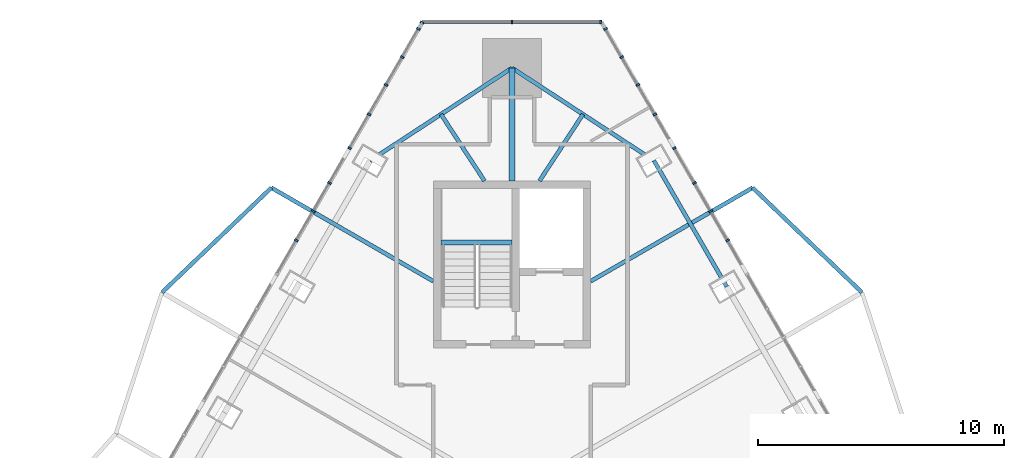
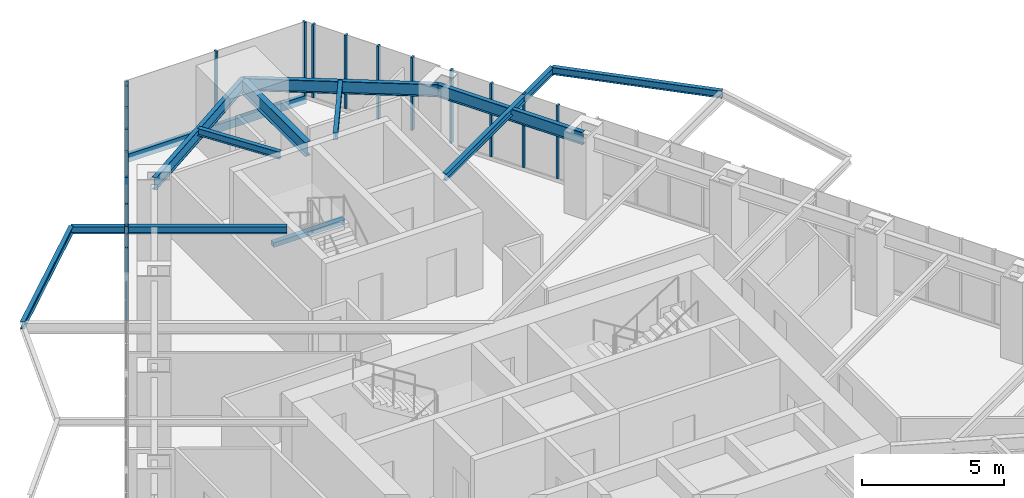
# One storey, part 9 of 19: 20 members, 11 beams, 3 elements without a shape of their own.
"""IFC4 building model written with IfcOpenShell, lengths in metres."""

import ifcopenshell
import ifcopenshell.guid

model = None  # the IFC model being written
_history = None  # IfcOwnerHistory: only IFC2X3 demands one
_inside = {}  # id of a spatial element -> (the spatial element, [elements in it])
_under = {}  # id of a project, library or spatial element -> (it, [spatial elements below it])
_declared = {}  # id of a project -> (the project, [libraries it declares])
_typed = {}  # id of a type object -> (the type object, [elements of that type])
_made_of = {}  # id of a material, layer set ... -> (it, [elements and type objects made of it])


def new_model(schema):
    """Start an empty IFC model of exactly this schema.

    Asked for "IFC4X3", IfcOpenShell would pick the latest addendum, in which some entities
    have other attributes; the version numbers below select the first issue.
    IFC2X3 requires an IfcOwnerHistory on every rooted entity: one is made here for all.
    """
    global model, _history
    if schema == "IFC4X3":
        model = ifcopenshell.file(schema_version=(4, 3, 0, 0))
    else:
        model = ifcopenshell.file(schema=schema)
    _inside.clear()
    _under.clear()
    _declared.clear()
    _typed.clear()
    _made_of.clear()
    _history = None
    if model.schema == "IFC2X3":
        org = make("IfcOrganization", Name="unknown")
        user = make(
            "IfcPersonAndOrganization",
            ThePerson=make("IfcPerson", FamilyName="unknown"),
            TheOrganization=org,
        )
        app = make(
            "IfcApplication",
            ApplicationDeveloper=org,
            Version="unknown",
            ApplicationFullName="unknown",
            ApplicationIdentifier="unknown",
        )
        _history = make(
            "IfcOwnerHistory",
            OwningUser=user,
            OwningApplication=app,
            ChangeAction="ADDED",
            CreationDate=0,
        )
    return model


def make(cls, **values):
    """One entity of the class cls with the attributes given. An attribute that is None is left unset."""
    return model.create_entity(
        cls, **{name: value for name, value in values.items() if value is not None}
    )


def rooted(cls, **values):
    """An entity with a GlobalId (a new one), such as an element, a storey or a relation."""
    return make(cls, GlobalId=ifcopenshell.guid.new(), OwnerHistory=_history, **values)


def si_unit(unit_type, name, prefix=None):
    """IfcSIUnit, for example si_unit("LENGTHUNIT", "METRE", prefix="MILLI")."""
    return make("IfcSIUnit", UnitType=unit_type, Prefix=prefix, Name=name)


def assignment(units):
    """IfcUnitAssignment: the units of a project."""
    return None if units is None else make("IfcUnitAssignment", Units=units)


def point(xyz):
    """IfcCartesianPoint."""
    return None if xyz is None else make("IfcCartesianPoint", Coordinates=xyz)


def direction(xyz):
    """IfcDirection."""
    return None if xyz is None else make("IfcDirection", DirectionRatios=xyz)


def frame(location, z_axis=None, x_axis=None):
    """IfcAxis2Placement3D, a coordinate frame: its origin and axes. An axis left out is left unset."""
    return make(
        "IfcAxis2Placement3D",
        Location=point(location),
        Axis=direction(z_axis),
        RefDirection=direction(x_axis),
    )


def frame_2d(location, x_axis=None):
    """IfcAxis2Placement2D, a coordinate frame in the plane: its origin and x axis."""
    return make(
        "IfcAxis2Placement2D", Location=point(location), RefDirection=direction(x_axis)
    )


def origin():
    """The frame at (0, 0, 0) with its axes left unset."""
    return frame((0.0, 0.0, 0.0))


def origin_2d():
    """The frame at (0, 0) in the plane with its x axis left unset."""
    return frame_2d((0.0, 0.0))


def place(relative_to, where):
    """IfcLocalPlacement: puts the frame where relative to a parent placement (None: the world)."""
    return make(
        "IfcLocalPlacement", PlacementRelTo=relative_to, RelativePlacement=where
    )


def context(
    kind, dimensions, precision=None, world=None, true_north=None, identifier=None
):
    """IfcGeometricRepresentationContext, for example the 3D "Model" context."""
    return make(
        "IfcGeometricRepresentationContext",
        ContextIdentifier=identifier,
        ContextType=kind,
        CoordinateSpaceDimension=dimensions,
        Precision=precision,
        WorldCoordinateSystem=world,
        TrueNorth=true_north,
    )


def subcontext(parent, identifier, kind, view, scale=None):
    """IfcGeometricRepresentationSubContext, for example "Body" below "Model"."""
    return make(
        "IfcGeometricRepresentationSubContext",
        ContextIdentifier=identifier,
        ContextType=kind,
        ParentContext=parent,
        TargetScale=scale,
        TargetView=view,
    )


def project(units=None, contexts=None):
    """IfcProject with its units and contexts."""
    return rooted(
        "IfcProject",
        Name="project",
        RepresentationContexts=contexts,
        UnitsInContext=assignment(units),
    )


def spatial(cls, under=None, at=None, **own):
    """A site, building, storey or space (cls), placed at a placement, below another one or the project."""
    s = rooted(cls, ObjectPlacement=at, **own)
    if under is not None:
        _under.setdefault(under.id(), (under, []))[1].append(s)
    return s


def profile(cls, at=None, kind="AREA", **sizes):
    """A parametric profile (cls). Its sizes go by their IFC names, for example OverallWidth=200.0."""
    return make(cls, ProfileType=kind, Position=at, **sizes)


def rectangle(**sizes):
    """IfcRectangleProfileDef."""
    return profile("IfcRectangleProfileDef", **sizes)


def i_section(**sizes):
    """IfcIShapeProfileDef."""
    return profile("IfcIShapeProfileDef", **sizes)


def extrude(swept, where, along, depth):
    """IfcExtrudedAreaSolid: the profile swept, set in the frame where, extruded along a direction by depth."""
    return make(
        "IfcExtrudedAreaSolid",
        SweptArea=swept,
        Position=where,
        ExtrudedDirection=direction(along),
        Depth=depth,
    )


def shape(context_of_items, identifier, shape_type, items):
    """IfcShapeRepresentation: the items that make up one representation, for example the "Body"."""
    return make(
        "IfcShapeRepresentation",
        ContextOfItems=context_of_items,
        RepresentationIdentifier=identifier,
        RepresentationType=shape_type,
        Items=items,
    )


def material(Name=None, Category=None):
    """IfcMaterial."""
    return make("IfcMaterial", Name=Name, Category=Category)


def layer(
    of_material, thickness, ventilated=None, Name=None, Category=None, Priority=None
):
    """IfcMaterialLayer: one layer of a wall or slab, of a material (None: an air gap)."""
    return make(
        "IfcMaterialLayer",
        Material=of_material,
        LayerThickness=thickness,
        IsVentilated=ventilated,
        Name=Name,
        Category=Category,
        Priority=Priority,
    )


def layer_set(layers, Name=None):
    """IfcMaterialLayerSet."""
    return make("IfcMaterialLayerSet", MaterialLayers=layers, LayerSetName=Name)


def material_profile(
    of_material, cross_section, Name=None, Category=None, Priority=None
):
    """IfcMaterialProfile: a cross section and its material."""
    return make(
        "IfcMaterialProfile",
        Name=Name,
        Material=of_material,
        Profile=cross_section,
        Priority=Priority,
        Category=Category,
    )


def profile_set(profiles, Name=None, composite=None):
    """IfcMaterialProfileSet."""
    return make(
        "IfcMaterialProfileSet",
        Name=Name,
        MaterialProfiles=profiles,
        CompositeProfile=composite,
    )


def made_of(thing, what):
    """Note that an element or type object is made of a material, layer set ...; save() writes the relation."""
    if what is not None:
        _made_of.setdefault(what.id(), (what, []))[1].append(thing)
    return thing


def type_object(cls, material=None, **own):
    """A type object (cls), such as IfcWallType, which elements share."""
    return made_of(rooted(cls, **own), material)


def element(
    cls,
    number,
    at=None,
    inside=None,
    cuts=None,
    type_object=None,
    material=None,
    context=None,
    identifier="Body",
    shape_type=None,
    held_by="IfcProductDefinitionShape",
    body=None,
    shapes=None,
    **own,
):
    """One element of the class cls, such as IfcWall. Its Tag is "e" and its number.

    at: its placement. inside: the storey or other place that contains it. cuts: it is an
    opening in that element (IfcRelVoidsElement). A single representation is given by context,
    identifier, shape_type and body (its items); several are given by shapes. held_by: the class
    of the entity that holds the representations. save() writes the other relations.
    """
    e = rooted(cls, Tag="e%d" % number, ObjectPlacement=at, **own)
    if body is not None:
        shapes = [shape(context, identifier, shape_type, body)]
    if shapes is not None:
        e.Representation = make(held_by, Representations=shapes)
    if inside is not None:
        _inside.setdefault(inside.id(), (inside, []))[1].append(e)
    if cuts is not None:
        rooted(
            "IfcRelVoidsElement", RelatingBuildingElement=cuts, RelatedOpeningElement=e
        )
    if type_object is not None:
        _typed.setdefault(type_object.id(), (type_object, []))[1].append(e)
    return made_of(e, material)


def aggregate(whole, parts):
    """IfcRelAggregates: a whole, such as a stair, and the parts it consists of."""
    return rooted("IfcRelAggregates", RelatingObject=whole, RelatedObjects=parts)


def save(model, path):
    """Write the relations noted so far, then the file.

    IfcRelAggregates (storeys below a building ...), IfcRelContainedInSpatialStructure (elements
    in a storey), IfcRelDefinesByType, IfcRelAssociatesMaterial and IfcRelDeclares: one each for
    every whole, place, type object, material and project.
    """
    for whole, parts in _under.values():
        aggregate(whole, parts)
    for where, things in _inside.values():
        rooted(
            "IfcRelContainedInSpatialStructure",
            RelatedElements=things,
            RelatingStructure=where,
        )
    for kind, things in _typed.values():
        rooted("IfcRelDefinesByType", RelatedObjects=things, RelatingType=kind)
    for what, things in _made_of.values():
        rooted("IfcRelAssociatesMaterial", RelatedObjects=things, RelatingMaterial=what)
    for by, libraries in _declared.values():
        rooted("IfcRelDeclares", RelatingContext=by, RelatedDefinitions=libraries)
    model.write(path)


model = new_model("IFC4")

# Units and contexts
model_context = context("Model", 3, precision=1e-05, world=origin(), true_north=direction((0.0, 1.0)))
body_context = subcontext(model_context, "Body", "Model", "MODEL_VIEW")
ifc_project = project(units=[si_unit("LENGTHUNIT", "METRE"), si_unit("AREAUNIT", "SQUARE_METRE"), si_unit("VOLUMEUNIT", "CUBIC_METRE"), si_unit("PLANEANGLEUNIT", "RADIAN"), si_unit("MASSUNIT", "GRAM", prefix="KILO")], contexts=[model_context])

# Site, building, storey
site_placement = place(None, origin())
site = spatial("IfcSite", under=ifc_project, at=site_placement, CompositionType="ELEMENT")
building_placement = place(site_placement, origin())
building = spatial("IfcBuilding", under=site, at=building_placement, Name="Firuza Gate Tower and Library", CompositionType="ELEMENT")
storey_placement = place(building_placement, frame((0.0, 0.0, 316.10009765625)))
storey = spatial("IfcBuildingStorey", under=building, at=storey_placement, Name="L77", CompositionType="ELEMENT", Elevation=316.10009765625)

# Curtain wall, members
ifc_material_1 = material(Name="Aluminium 6063-T6", Category="aluminium")
ifc_layer_1 = layer(ifc_material_1, 0.14990234375)
ifc_layer_set_1 = layer_set([ifc_layer_1], Name="Unitised curtain wall, residences")
curtain_wall_type_1 = type_object("IfcCurtainWallType", Name="Unitised curtain wall, residences", PredefinedType="NOTDEFINED", material=ifc_layer_set_1)
placement = place(storey_placement, origin())
curtain_wall_1 = element("IfcCurtainWall", 1, at=placement, inside=storey, type_object=curtain_wall_type_1, Name="CW3 L77 E face", PredefinedType="NOTDEFINED")
ifc_material_2 = material(Name="Aluminium 6063-T6", Category="aluminium")
ifc_material_profile_1 = material_profile(ifc_material_2, rectangle(XDim=0.14990234375, YDim=0.080078125, at=origin_2d()))
ifc_profile_set_1 = profile_set([ifc_material_profile_1], Name="Aluminium 6063-T6")
member_type_1 = type_object("IfcMemberType", Name="Curtain wall mullion 80x150", PredefinedType="MULLION", material=ifc_profile_set_1)
member_1_placement = place(storey_placement, frame((83.092529296875, 93.37255859375, 0.14990234375), z_axis=(0.0, 0.0, 1.0), x_axis=(-0.866025403784, -0.5, 0.0)))
member_1 = element("IfcMember", 2, at=member_1_placement, type_object=member_type_1, Name="Mullion", PredefinedType="MULLION", context=body_context, shape_type="SweptSolid", body=[
    extrude(rectangle(XDim=0.14990234375, YDim=0.080078125, at=origin_2d()), origin(), (0.0, 0.0, 1.0), 3.14990234375),
])
member_2_placement = place(storey_placement, frame((81.609375, 95.941162109375, 0.14990234375), z_axis=(0.0, 0.0, 1.0), x_axis=(-0.866025403784, -0.5, 0.0)))
member_2 = element("IfcMember", 3, at=member_2_placement, type_object=member_type_1, Name="Mullion", PredefinedType="MULLION", context=body_context, shape_type="SweptSolid", body=[
    extrude(rectangle(XDim=0.14990234375, YDim=0.080078125, at=origin_2d()), origin(), (0.0, 0.0, 1.0), 3.14990234375),
])
member_3_placement = place(storey_placement, frame((80.12646484375, 98.510009765625, 0.14990234375), z_axis=(0.0, 0.0, 1.0), x_axis=(-0.866025403784, -0.5, 0.0)))
member_3 = element("IfcMember", 4, at=member_3_placement, type_object=member_type_1, Name="Mullion", PredefinedType="MULLION", context=body_context, shape_type="SweptSolid", body=[
    extrude(rectangle(XDim=0.14990234375, YDim=0.080078125, at=origin_2d()), origin(), (0.0, 0.0, 1.0), 3.14990234375),
])
member_4_placement = place(storey_placement, frame((83.779296875, 92.182861328125, 0.14990234375), z_axis=(0.0, 0.0, 1.0), x_axis=(-0.866025403784, -0.5, 0.0)))
member_4 = element("IfcMember", 5, at=member_4_placement, type_object=member_type_1, Name="Mullion", PredefinedType="MULLION", context=body_context, shape_type="SweptSolid", body=[
    extrude(rectangle(XDim=0.14990234375, YDim=0.080078125, at=origin_2d()), origin(), (0.0, 0.0, 1.0), 3.14990234375),
])
member_5_placement = place(storey_placement, frame((82.430419921875, 94.519287109375, 0.14990234375), z_axis=(0.0, 0.0, 1.0), x_axis=(-0.866025403784, -0.5, 0.0)))
member_5 = element("IfcMember", 6, at=member_5_placement, type_object=member_type_1, Name="Mullion", PredefinedType="MULLION", context=body_context, shape_type="SweptSolid", body=[
    extrude(rectangle(XDim=0.14990234375, YDim=0.080078125, at=origin_2d()), origin(), (0.0, 0.0, 1.0), 3.14990234375),
])
member_6_placement = place(storey_placement, frame((80.8193359375, 97.309814453125, 0.14990234375), z_axis=(0.0, 0.0, 1.0), x_axis=(-0.866025403784, -0.5, 0.0)))
member_6 = element("IfcMember", 7, at=member_6_placement, type_object=member_type_1, Name="Mullion", PredefinedType="MULLION", context=body_context, shape_type="SweptSolid", body=[
    extrude(rectangle(XDim=0.14990234375, YDim=0.080078125, at=origin_2d()), origin(), (0.0, 0.0, 1.0), 3.14990234375),
])
member_7_placement = place(storey_placement, frame((79.470458984375, 99.64599609375, 0.14990234375), z_axis=(0.0, 0.0, 1.0), x_axis=(-0.866025403784, -0.5, 0.0)))
member_7 = element("IfcMember", 8, at=member_7_placement, type_object=member_type_1, Name="Mullion", PredefinedType="MULLION", context=body_context, shape_type="SweptSolid", body=[
    extrude(rectangle(XDim=0.14990234375, YDim=0.080078125, at=origin_2d()), origin(), (0.0, 0.0, 1.0), 3.14990234375),
])
member_8_placement = place(storey_placement, frame((78.808837890625, 100.7919921875, 0.14990234375), z_axis=(0.0, 0.0, 1.0), x_axis=(-0.866025403784, -0.5, 0.0)))
member_8 = element("IfcMember", 9, at=member_8_placement, type_object=member_type_1, Name="Mullion", PredefinedType="MULLION", context=body_context, shape_type="SweptSolid", body=[
    extrude(rectangle(XDim=0.14990234375, YDim=0.080078125, at=origin_2d()), origin(), (0.0, 0.0, 1.0), 3.14990234375),
])
aggregate(curtain_wall_1, [member_1, member_2, member_3, member_4, member_5, member_6, member_7, member_8])

ifc_material_3 = material(Name="Aluminium 6063-T6", Category="aluminium")
ifc_layer_2 = layer(ifc_material_3, 0.14990234375)
ifc_layer_set_2 = layer_set([ifc_layer_2], Name="Corner curtain wall, chamfers")
curtain_wall_type_2 = type_object("IfcCurtainWallType", Name="Corner curtain wall, chamfers", PredefinedType="NOTDEFINED", material=ifc_layer_set_2)
curtain_wall_2 = element("IfcCurtainWall", 10, at=placement, inside=storey, type_object=curtain_wall_type_2, Name="CW4 L77 N corner", PredefinedType="NOTDEFINED")
member_9_placement = place(storey_placement, frame((78.603271484375, 101.078857421875, 0.14990234375), z_axis=(0.0, 0.0, 1.0), x_axis=(0.0, -1.0, 0.0)))
member_9 = element("IfcMember", 11, at=member_9_placement, type_object=member_type_1, Name="Mullion", PredefinedType="MULLION", context=body_context, shape_type="SweptSolid", body=[
    extrude(rectangle(XDim=0.14990234375, YDim=0.080078125, at=origin_2d()), origin(), (0.0, 0.0, 1.0), 3.14990234375),
])
member_10_placement = place(storey_placement, frame((75.0, 101.078857421875, 0.14990234375), z_axis=(0.0, 0.0, 1.0), x_axis=(0.0, -1.0, 0.0)))
member_10 = element("IfcMember", 12, at=member_10_placement, type_object=member_type_1, Name="Mullion", PredefinedType="MULLION", context=body_context, shape_type="SweptSolid", body=[
    extrude(rectangle(XDim=0.14990234375, YDim=0.080078125, at=origin_2d()), origin(), (0.0, 0.0, 1.0), 3.14990234375),
])

curtain_wall_3 = element("IfcCurtainWall", 13, at=placement, inside=storey, type_object=curtain_wall_type_1, Name="CW3 L77 W face", PredefinedType="NOTDEFINED")
member_11_placement = place(storey_placement, frame((71.336669921875, 101.044189453125, 0.14990234375), z_axis=(0.0, 0.0, 1.0), x_axis=(0.866025403784, -0.5, 0.0)))
member_11 = element("IfcMember", 14, at=member_11_placement, type_object=member_type_1, Name="Mullion", PredefinedType="MULLION", context=body_context, shape_type="SweptSolid", body=[
    extrude(rectangle(XDim=0.14990234375, YDim=0.080078125, at=origin_2d()), origin(), (0.0, 0.0, 1.0), 3.14990234375),
])
member_12_placement = place(storey_placement, frame((69.87353515625, 98.510009765625, 0.14990234375), z_axis=(0.0, 0.0, 1.0), x_axis=(0.866025403784, -0.5, 0.0)))
member_12 = element("IfcMember", 15, at=member_12_placement, type_object=member_type_1, Name="Mullion", PredefinedType="MULLION", context=body_context, shape_type="SweptSolid", body=[
    extrude(rectangle(XDim=0.14990234375, YDim=0.080078125, at=origin_2d()), origin(), (0.0, 0.0, 1.0), 3.14990234375),
])
member_13_placement = place(storey_placement, frame((68.390625, 95.941162109375, 0.14990234375), z_axis=(0.0, 0.0, 1.0), x_axis=(0.866025403784, -0.5, 0.0)))
member_13 = element("IfcMember", 16, at=member_13_placement, type_object=member_type_1, Name="Mullion", PredefinedType="MULLION", context=body_context, shape_type="SweptSolid", body=[
    extrude(rectangle(XDim=0.14990234375, YDim=0.080078125, at=origin_2d()), origin(), (0.0, 0.0, 1.0), 3.14990234375),
])
member_14_placement = place(storey_placement, frame((66.907470703125, 93.37255859375, 0.14990234375), z_axis=(0.0, 0.0, 1.0), x_axis=(0.866025403784, -0.5, 0.0)))
member_14 = element("IfcMember", 17, at=member_14_placement, type_object=member_type_1, Name="Mullion", PredefinedType="MULLION", context=body_context, shape_type="SweptSolid", body=[
    extrude(rectangle(XDim=0.14990234375, YDim=0.080078125, at=origin_2d()), origin(), (0.0, 0.0, 1.0), 3.14990234375),
])
member_15_placement = place(storey_placement, frame((71.191162109375, 100.7919921875, 0.14990234375), z_axis=(0.0, 0.0, 1.0), x_axis=(0.866025403784, -0.5, 0.0)))
member_15 = element("IfcMember", 18, at=member_15_placement, type_object=member_type_1, Name="Mullion", PredefinedType="MULLION", context=body_context, shape_type="SweptSolid", body=[
    extrude(rectangle(XDim=0.14990234375, YDim=0.080078125, at=origin_2d()), origin(), (0.0, 0.0, 1.0), 3.14990234375),
])
member_16_placement = place(storey_placement, frame((70.529541015625, 99.64599609375, 0.14990234375), z_axis=(0.0, 0.0, 1.0), x_axis=(0.866025403784, -0.5, 0.0)))
member_16 = element("IfcMember", 19, at=member_16_placement, type_object=member_type_1, Name="Mullion", PredefinedType="MULLION", context=body_context, shape_type="SweptSolid", body=[
    extrude(rectangle(XDim=0.14990234375, YDim=0.080078125, at=origin_2d()), origin(), (0.0, 0.0, 1.0), 3.14990234375),
])
member_17_placement = place(storey_placement, frame((69.1806640625, 97.309814453125, 0.14990234375), z_axis=(0.0, 0.0, 1.0), x_axis=(0.866025403784, -0.5, 0.0)))
member_17 = element("IfcMember", 20, at=member_17_placement, type_object=member_type_1, Name="Mullion", PredefinedType="MULLION", context=body_context, shape_type="SweptSolid", body=[
    extrude(rectangle(XDim=0.14990234375, YDim=0.080078125, at=origin_2d()), origin(), (0.0, 0.0, 1.0), 3.14990234375),
])
member_18_placement = place(storey_placement, frame((67.569580078125, 94.519287109375, 0.14990234375), z_axis=(0.0, 0.0, 1.0), x_axis=(0.866025403784, -0.5, 0.0)))
member_18 = element("IfcMember", 21, at=member_18_placement, type_object=member_type_1, Name="Mullion", PredefinedType="MULLION", context=body_context, shape_type="SweptSolid", body=[
    extrude(rectangle(XDim=0.14990234375, YDim=0.080078125, at=origin_2d()), origin(), (0.0, 0.0, 1.0), 3.14990234375),
])
member_19_placement = place(storey_placement, frame((66.220703125, 92.182861328125, 0.14990234375), z_axis=(0.0, 0.0, 1.0), x_axis=(0.866025403784, -0.5, 0.0)))
member_19 = element("IfcMember", 22, at=member_19_placement, type_object=member_type_1, Name="Mullion", PredefinedType="MULLION", context=body_context, shape_type="SweptSolid", body=[
    extrude(rectangle(XDim=0.14990234375, YDim=0.080078125, at=origin_2d()), origin(), (0.0, 0.0, 1.0), 3.14990234375),
])
aggregate(curtain_wall_3, [member_11, member_12, member_13, member_14, member_15, member_16, member_17, member_18, member_19])

# Member
ifc_material_4 = material(Name="Aluminium 6063-T6", Category="aluminium")
ifc_material_profile_2 = material_profile(ifc_material_4, rectangle(XDim=0.14990234375, YDim=0.35009765625, at=origin_2d()))
ifc_profile_set_2 = profile_set([ifc_material_profile_2], Name="Aluminium 6063-T6")
member_type_2 = type_object("IfcMemberType", Name="Curtain wall transom 350x150", PredefinedType="USERDEFINED", material=ifc_profile_set_2)
member_20_placement = place(storey_placement, frame((78.643310546875, 101.078857421875, -0.025146484375), z_axis=(-1.0, 0.0, 0.0), x_axis=(0.0, -1.0, 0.0)))
member_20 = element("IfcMember", 23, at=member_20_placement, type_object=member_type_2, Name="Transom", ObjectType="TRANSOM", PredefinedType="USERDEFINED", context=body_context, shape_type="SweptSolid", body=[
    extrude(rectangle(XDim=0.14990234375, YDim=0.35009765625, at=origin_2d()), origin(), (0.0, 0.0, 1.0), 7.28662109375),
])

aggregate(curtain_wall_2, [member_9, member_10, member_20])

# Beams
ifc_material_5 = material(Name="Concrete C35/45", Category="concrete")
ifc_material_profile_3 = material_profile(ifc_material_5, rectangle(XDim=0.199951171875, YDim=0.199951171875, at=origin_2d()))
ifc_profile_set_3 = profile_set([ifc_material_profile_3], Name="Concrete C35/45")
beam_type_1 = type_object("IfcBeamType", Name="Stair landing bearer 200x200", PredefinedType="BEAM", material=ifc_profile_set_3)
beam_1_placement = place(storey_placement, frame((75.0, 92.090087890625, 1.449951171875), z_axis=(-1.0, 0.0, 0.0), x_axis=(0.0, -1.0, 0.0)))
element("IfcBeam", 24, at=beam_1_placement, inside=storey, type_object=beam_type_1, Name="Landing bearer L77 stair 3", PredefinedType="BEAM", context=body_context, shape_type="SweptSolid", body=[
    extrude(rectangle(XDim=0.199951171875, YDim=0.199951171875, at=origin_2d()), origin(), (0.0, 0.0, 1.0), 2.89990234375),
])
ifc_material_6 = material(Name="Steel S355", Category="steel")
ifc_material_profile_4 = material_profile(ifc_material_6, i_section(OverallWidth=0.1650390625, OverallDepth=0.31005859375, WebThickness=0.005859375, FlangeThickness=0.009765625, at=origin_2d()))
ifc_profile_set_4 = profile_set([ifc_material_profile_4], Name="Steel S355")
beam_type_2 = type_object("IfcBeamType", Name="W310x39 Floor beam", PredefinedType="JOIST", material=ifc_profile_set_4)
beam_2_placement = place(storey_placement, frame((84.79443359375, 94.326416015625, 3.14501953125), z_axis=(-0.866036623045, -0.499980567167, 0.0), x_axis=(0.499980567167, -0.866036623045, 0.0)))
element("IfcBeam", 25, at=beam_2_placement, inside=storey, type_object=beam_type_2, Name="Floor beam L77 s54", PredefinedType="JOIST", context=body_context, shape_type="SweptSolid", body=[
    extrude(i_section(OverallWidth=0.1650390625, OverallDepth=0.31005859375, WebThickness=0.005859375, FlangeThickness=0.009765625, at=origin_2d()), origin(), (0.0, 0.0, 1.0), 7.614501953125),
])
for number, where, z_axis, x_axis, name in (
    (26, (77.890380859375, 97.3154296875, 3.14501953125), (-0.546981641659, -0.837144601421, 0.0), (0.837144601421, -0.546981641659, 0.0), "Floor beam L77 s60"),
    (27, (72.109619140625, 97.3154296875, 3.14501953125), (0.546981641659, -0.837144601421, 0.0), (0.837144601421, 0.546981641659, 0.0), "Floor beam L77 s70"),
):
    element("IfcBeam", number, at=place(storey_placement, frame(where, z_axis=z_axis, x_axis=x_axis)), inside=storey, type_object=beam_type_2, Name=name, PredefinedType="JOIST", context=body_context, shape_type="SweptSolid", body=[
        extrude(i_section(OverallWidth=0.1650390625, OverallDepth=0.31005859375, WebThickness=0.005859375, FlangeThickness=0.009765625, at=origin_2d()), origin(), (0.0, 0.0, 1.0), 3.24365234375),
    ])
beam_3_placement = place(storey_placement, frame((65.20556640625, 94.326416015625, 3.14501953125), z_axis=(0.866036623045, -0.499980567167, 0.0), x_axis=(0.499980567167, 0.866036623045, 0.0)))
element("IfcBeam", 28, at=beam_3_placement, inside=storey, type_object=beam_type_2, Name="Floor beam L77 s80", PredefinedType="JOIST", context=body_context, shape_type="SweptSolid", body=[
    extrude(i_section(OverallWidth=0.1650390625, OverallDepth=0.31005859375, WebThickness=0.005859375, FlangeThickness=0.009765625, at=origin_2d()), origin(), (0.0, 0.0, 1.0), 7.614501953125),
])
for number, where, z_axis, x_axis, name in (
    (29, (89.24755859375, 90.061767578125, 3.14501953125), (-0.722225521818, 0.691657643372, 0.0), (-0.691657643372, -0.722225521818, 0.0), "Tray edge beam L77 s53-s54"),
    (30, (65.20556640625, 94.326416015625, 3.14501953125), (-0.722225521818, -0.691657643372, 0.0), (0.691657643372, -0.722225521818, 0.0), "Tray edge beam L77 s80-s81"),
):
    element("IfcBeam", number, at=place(storey_placement, frame(where, z_axis=z_axis, x_axis=x_axis)), inside=storey, type_object=beam_type_2, Name=name, PredefinedType="JOIST", context=body_context, shape_type="SweptSolid", body=[
        extrude(i_section(OverallWidth=0.1650390625, OverallDepth=0.31005859375, WebThickness=0.005859375, FlangeThickness=0.009765625, at=origin_2d()), origin(), (0.0, 0.0, 1.0), 6.165771484375),
    ])
ifc_material_7 = material(Name="Steel S355", Category="steel")
ifc_material_profile_5 = material_profile(ifc_material_7, i_section(OverallWidth=0.166015625, OverallDepth=0.534912109375, WebThickness=0.01025390625, FlangeThickness=0.0166015625, at=origin_2d()))
ifc_profile_set_5 = profile_set([ifc_material_profile_5], Name="Steel S355")
beam_type_3 = type_object("IfcBeamType", Name="W530x85 Edge beam", PredefinedType="SPANDREL", material=ifc_profile_set_5)
beam_4_placement = place(storey_placement, frame((83.740478515625, 90.300048828125, 3.032470703125), z_axis=(-0.499988999718, 0.866031754707, 0.0), x_axis=(-0.866031754707, -0.499988999718, 0.0)))
element("IfcBeam", 31, at=beam_4_placement, inside=storey, type_object=beam_type_3, Name="Edge beam L77 e54", PredefinedType="SPANDREL", context=body_context, shape_type="SweptSolid", body=[
    extrude(i_section(OverallWidth=0.166015625, OverallDepth=0.534912109375, WebThickness=0.01025390625, FlangeThickness=0.0166015625, at=origin_2d()), origin(), (0.0, 0.0, 1.0), 5.920166015625),
])
for number, where, z_axis, x_axis, name in (
    (32, (80.780517578125, 95.427001953125, 3.032470703125), (-0.837149578366, 0.546974024467, 0.0), (-0.546974024467, -0.837149578366, 0.0), "Edge beam L77 e60"),
    (33, (75.0, 99.203857421875, 3.032470703125), (-0.837149578366, -0.546974024467, 0.0), (0.546974024467, -0.837149578366, 0.0), "Edge beam L77 e70"),
):
    element("IfcBeam", number, at=place(storey_placement, frame(where, z_axis=z_axis, x_axis=x_axis)), inside=storey, type_object=beam_type_3, Name=name, PredefinedType="SPANDREL", context=body_context, shape_type="SweptSolid", body=[
        extrude(i_section(OverallWidth=0.166015625, OverallDepth=0.534912109375, WebThickness=0.01025390625, FlangeThickness=0.0166015625, at=origin_2d()), origin(), (0.0, 0.0, 1.0), 6.905029296875),
    ])
ifc_material_8 = material(Name="Steel S355", Category="steel")
ifc_material_profile_6 = material_profile(ifc_material_8, i_section(OverallWidth=0.22802734375, OverallDepth=0.60302734375, WebThickness=0.010498046875, FlangeThickness=0.014892578125, at=origin_2d()))
ifc_profile_set_6 = profile_set([ifc_material_profile_6], Name="Steel S355")
beam_type_4 = type_object("IfcBeamType", Name="W610x101 Girder", PredefinedType="BEAM", material=ifc_profile_set_6)
beam_5_placement = place(storey_placement, frame((75.0, 99.203857421875, 2.998291015625), z_axis=(0.0, -1.0, 0.0), x_axis=(1.0, 0.0, 0.0)))
element("IfcBeam", 34, at=beam_5_placement, inside=storey, type_object=beam_type_4, Name="Girder L77 gN", PredefinedType="BEAM", context=body_context, shape_type="SweptSolid", body=[
    extrude(i_section(OverallWidth=0.22802734375, OverallDepth=0.60302734375, WebThickness=0.010498046875, FlangeThickness=0.014892578125, at=origin_2d()), origin(), (0.0, 0.0, 1.0), 4.603759765625),
])

save(model, "model.ifc")
